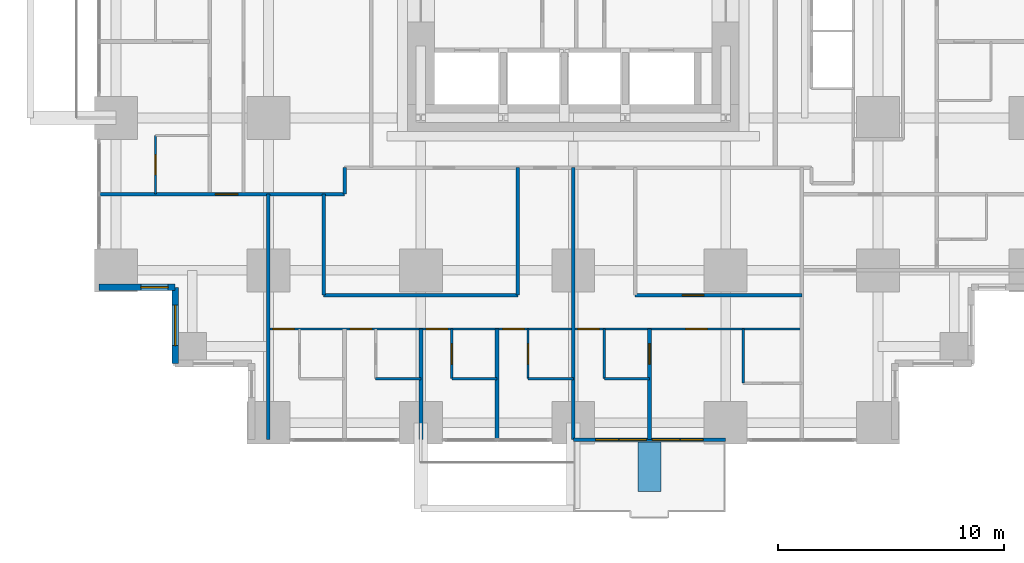
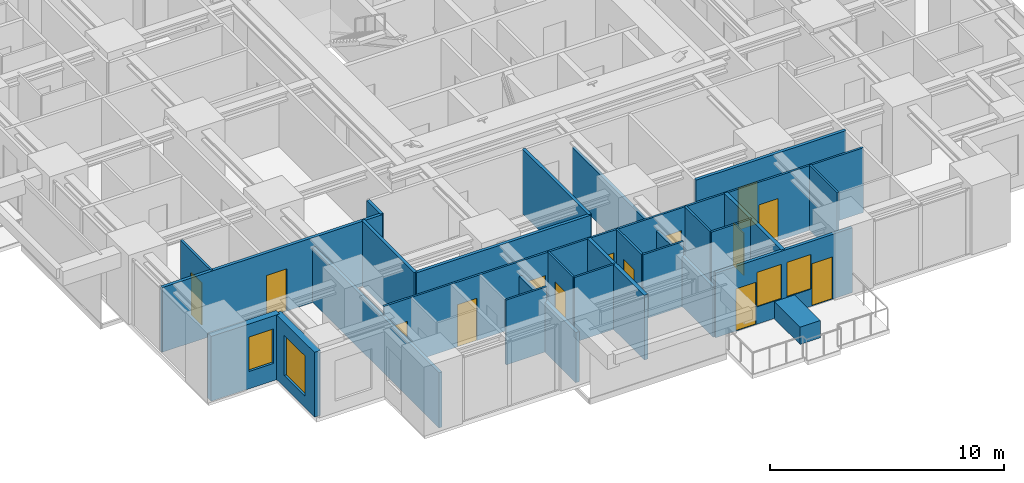
# One storey, part 8 of 14: 25 walls, 14 doors, 4 windows, 18 openings.
"""IFC4 building model written with IfcOpenShell, lengths in metres."""

from ifc_helpers import new_model, si_unit, direction, frame, frame_2d, origin, place, context, subcontext, project, spatial, rectangle, extrude, material, layer, layer_set, type_object, element, fill, save


model = new_model("IFC4")

# Units and contexts
model_context = context("Model", 3, precision=1e-05, world=origin(), true_north=direction((0.0, 1.0)))
body_context = subcontext(model_context, "Body", "Model", "MODEL_VIEW")
ifc_project = project(units=[si_unit("LENGTHUNIT", "METRE"), si_unit("AREAUNIT", "SQUARE_METRE"), si_unit("VOLUMEUNIT", "CUBIC_METRE"), si_unit("PLANEANGLEUNIT", "RADIAN"), si_unit("MASSUNIT", "GRAM", prefix="KILO")], contexts=[model_context])

# Site, building, storey
site_placement = place(None, origin())
site = spatial("IfcSite", under=ifc_project, at=site_placement, CompositionType="ELEMENT")
building_placement = place(site_placement, origin())
building = spatial("IfcBuilding", under=site, at=building_placement, Name="Nyansa Garden Tower", CompositionType="ELEMENT")
storey_placement = place(building_placement, frame((0.0, 0.0, 21.60009765625)))
storey = spatial("IfcBuildingStorey", under=building, at=storey_placement, Name="L05", CompositionType="ELEMENT", Elevation=21.60009765625)

# Walls
ifc_material_1 = material(Name="Dense blockwork, plastered both sides, 55 dB", Category="masonry")
ifc_layer_1 = layer(ifc_material_1, 0.175048828125)
ifc_layer_set_1 = layer_set([ifc_layer_1], Name="Acoustic party wall PW175")
wall_type_1 = type_object("IfcWallType", Name="Acoustic party wall PW175", PredefinedType="PARTITIONING", material=ifc_layer_set_1)
wall_1_placement = place(storey_placement, frame((13.5, -0.73388671875, 0.0), z_axis=(0.0, 0.0, 1.0), x_axis=(0.0, 1.0, 0.0)))
element("IfcWall", 1, at=wall_1_placement, inside=storey, type_object=wall_type_1, Name="Party wall", PredefinedType="PARTITIONING", context=body_context, shape_type="SweptSolid", body=[
    extrude(rectangle(XDim=4.8837890625, YDim=0.175048828125, at=frame_2d((2.44189453125, 0.0))), origin(), (0.0, 0.0, 1.0), 2.60986328125),
])
wall_2_placement = place(storey_placement, frame((16.875, -0.73388671875, 0.0), z_axis=(0.0, 0.0, 1.0), x_axis=(0.0, 1.0, 0.0)))
element("IfcWall", 2, at=wall_2_placement, inside=storey, type_object=wall_type_1, Name="Party wall", PredefinedType="PARTITIONING", context=body_context, shape_type="SweptSolid", body=[
    extrude(rectangle(XDim=4.8837890625, YDim=0.175048828125, at=frame_2d((2.44189453125, 0.0))), origin(), (0.0, 0.0, 1.0), 3.375),
])

# Wall, opening, door
wall_3_placement = place(storey_placement, frame((23.625, -0.73388671875, 0.0), z_axis=(0.0, 0.0, 1.0), x_axis=(0.0, 1.0, 0.0)))
wall_3 = element("IfcWall", 3, at=wall_3_placement, inside=storey, type_object=wall_type_1, Name="Party wall", PredefinedType="PARTITIONING", context=body_context, shape_type="SweptSolid", body=[
    extrude(rectangle(XDim=4.8837890625, YDim=0.175048828125, at=frame_2d((2.44189453125, 0.0))), origin(), (0.0, 0.0, 1.0), 3.375),
])
opening_1_placement = place(wall_3_placement, frame((3.333984375, 0.0, 0.0)))
opening_1 = element("IfcOpeningElement", 4, at=opening_1_placement, cuts=wall_3, Name="Opening D02", PredefinedType="OPENING", context=body_context, shape_type="SweptSolid", body=[
    extrude(rectangle(XDim=0.89990234375, YDim=2.199951171875, at=frame_2d((0.449951171875, 1.10009765625))), frame((0.0, 0.097412109375, 0.0), z_axis=(0.0, -1.0, 0.0), x_axis=(1.0, 0.0, 0.0)), (0.0, 0.0, 1.0), 0.195068359375),
])
ifc_material_2 = material(Name="Timber flush door", Category="wood")
door_type_1 = type_object("IfcDoorType", Name="En-suite door D02 900x2200", OperationType="SINGLE_SWING_RIGHT", PredefinedType="DOOR", material=ifc_material_2)
door_1_placement = place(opening_1_placement, origin())
door_1 = element("IfcDoor", 5, at=door_1_placement, inside=storey, type_object=door_type_1, Name="Door L05-031", OperationType="SINGLE_SWING_RIGHT", OverallHeight=2.199951171875, OverallWidth=0.89990234375, PredefinedType="DOOR", context=body_context, shape_type="SweptSolid", body=[
    extrude(rectangle(XDim=0.89990234375, YDim=2.199951171875, at=frame_2d((0.449951171875, 1.10009765625))), frame((0.0, 0.02490234375, 0.0), z_axis=(0.0, -1.0, 0.0), x_axis=(1.0, 0.0, 0.0)), (0.0, 0.0, 1.0), 0.050048828125),
])
fill(opening_1, door_1)

# Wall, openings, doors, windows
ifc_material_3 = material(Name="Black aluminium framed glazed screen", Category="aluminium")
ifc_layer_2 = layer(ifc_material_3, 0.14990234375)
ifc_layer_set_2 = layer_set([ifc_layer_2], Name="Balcony screen wall BW150")
wall_type_2 = type_object("IfcWallType", Name="Balcony screen wall BW150", PredefinedType="SOLIDWALL", material=ifc_layer_set_2)
wall_4_placement = place(storey_placement, frame((27.0, -0.75, 0.0), z_axis=(0.0, 0.0, 1.0), x_axis=(-1.0, 0.0, 0.0)))
wall_4 = element("IfcWall", 6, at=wall_4_placement, inside=storey, type_object=wall_type_2, Name="Glazed screen wall L05 S", PredefinedType="SOLIDWALL", context=body_context, shape_type="SweptSolid", body=[
    extrude(rectangle(XDim=6.75, YDim=0.14990234375, at=frame_2d((3.375, 0.0))), origin(), (0.0, 0.0, 1.0), 3.375),
])
opening_2_placement = place(wall_4_placement, frame((0.995849609375, 0.0, 0.0)))
opening_2 = element("IfcOpeningElement", 7, at=opening_2_placement, cuts=wall_4, Name="Opening D20", PredefinedType="OPENING", context=body_context, shape_type="SweptSolid", body=[
    extrude(rectangle(XDim=1.0, YDim=2.199951171875, at=frame_2d((0.5, 1.10009765625))), frame((0.0, 0.0849609375, 0.0), z_axis=(0.0, -1.0, 0.0), x_axis=(1.0, 0.0, 0.0)), (0.0, 0.0, 1.0), 0.169921875),
])
opening_3_placement = place(wall_4_placement, frame((2.041748046875, 0.0, 0.89990234375)))
opening_3 = element("IfcOpeningElement", 8, at=opening_3_placement, cuts=wall_4, Name="Opening W6", PredefinedType="OPENING", context=body_context, shape_type="SweptSolid", body=[
    extrude(rectangle(XDim=1.199951171875, YDim=1.800048828125, at=frame_2d((0.60009765625, 0.89990234375))), frame((0.0, 0.0849609375, 0.0), z_axis=(0.0, -1.0, 0.0), x_axis=(1.0, 0.0, 0.0)), (0.0, 0.0, 1.0), 0.169921875),
])
opening_4_placement = place(wall_4_placement, frame((4.754150390625, 0.0, 0.0)))
opening_4 = element("IfcOpeningElement", 9, at=opening_4_placement, cuts=wall_4, Name="Opening D20", PredefinedType="OPENING", context=body_context, shape_type="SweptSolid", body=[
    extrude(rectangle(XDim=1.0, YDim=2.199951171875, at=frame_2d((0.5, 1.10009765625))), frame((0.0, 0.0849609375, 0.0), z_axis=(0.0, -1.0, 0.0), x_axis=(1.0, 0.0, 0.0)), (0.0, 0.0, 1.0), 0.169921875),
])
opening_5_placement = place(wall_4_placement, frame((3.50830078125, 0.0, 0.89990234375)))
opening_5 = element("IfcOpeningElement", 10, at=opening_5_placement, cuts=wall_4, Name="Opening W6", PredefinedType="OPENING", context=body_context, shape_type="SweptSolid", body=[
    extrude(rectangle(XDim=1.199951171875, YDim=1.800048828125, at=frame_2d((0.60009765625, 0.89990234375))), frame((0.0, 0.0849609375, 0.0), z_axis=(0.0, -1.0, 0.0), x_axis=(1.0, 0.0, 0.0)), (0.0, 0.0, 1.0), 0.169921875),
])
ifc_material_4 = material(Name="Black aluminium framed glazed door", Category="aluminium")
door_type_2 = type_object("IfcDoorType", Name="Balcony door D20 1000x2200", OperationType="NOTDEFINED", PredefinedType="DOOR", material=ifc_material_4)
door_2_placement = place(opening_2_placement, origin())
door_2 = element("IfcDoor", 11, at=door_2_placement, inside=storey, type_object=door_type_2, Name="Balcony door L05", OperationType="SINGLE_SWING_LEFT", OverallHeight=2.199951171875, OverallWidth=1.0, PredefinedType="DOOR", context=body_context, shape_type="SweptSolid", body=[
    extrude(rectangle(XDim=1.0, YDim=2.199951171875, at=frame_2d((0.5, 1.10009765625))), frame((0.0, 0.02490234375, 0.0), z_axis=(0.0, -1.0, 0.0), x_axis=(1.0, 0.0, 0.0)), (0.0, 0.0, 1.0), 0.050048828125),
])
fill(opening_2, door_2)
door_3_placement = place(opening_4_placement, origin())
door_3 = element("IfcDoor", 12, at=door_3_placement, inside=storey, type_object=door_type_2, Name="Balcony door L05", OperationType="SINGLE_SWING_RIGHT", OverallHeight=2.199951171875, OverallWidth=1.0, PredefinedType="DOOR", context=body_context, shape_type="SweptSolid", body=[
    extrude(rectangle(XDim=1.0, YDim=2.199951171875, at=frame_2d((0.5, 1.10009765625))), frame((0.0, 0.02490234375, 0.0), z_axis=(0.0, -1.0, 0.0), x_axis=(1.0, 0.0, 0.0)), (0.0, 0.0, 1.0), 0.050048828125),
])
fill(opening_4, door_3)
ifc_material_5 = material(Name="Black aluminium frame, dark tinted double glazing", Category="aluminium")
window_type_1 = type_object("IfcWindowType", Name="Balcony window W6 1200x1800", PartitioningType="SINGLE_PANEL", PredefinedType="WINDOW", material=ifc_material_5)
window_1_placement = place(opening_3_placement, origin())
window_1 = element("IfcWindow", 13, at=window_1_placement, inside=storey, type_object=window_type_1, Name="Window L05", OverallHeight=1.800048828125, OverallWidth=1.199951171875, PartitioningType="SINGLE_PANEL", PredefinedType="WINDOW", context=body_context, shape_type="SweptSolid", body=[
    extrude(rectangle(XDim=1.199951171875, YDim=1.800048828125, at=frame_2d((0.60009765625, 0.89990234375))), frame((0.0, 0.030029296875, 0.0), z_axis=(0.0, -1.0, 0.0), x_axis=(1.0, 0.0, 0.0)), (0.0, 0.0, 1.0), 0.06005859375),
])
fill(opening_3, window_1)
window_2_placement = place(opening_5_placement, origin())
window_2 = element("IfcWindow", 14, at=window_2_placement, inside=storey, type_object=window_type_1, Name="Window L05", OverallHeight=1.800048828125, OverallWidth=1.199951171875, PartitioningType="SINGLE_PANEL", PredefinedType="WINDOW", context=body_context, shape_type="SweptSolid", body=[
    extrude(rectangle(XDim=1.199951171875, YDim=1.800048828125, at=frame_2d((0.60009765625, 0.89990234375))), frame((0.0, 0.030029296875, 0.0), z_axis=(0.0, -1.0, 0.0), x_axis=(1.0, 0.0, 0.0)), (0.0, 0.0, 1.0), 0.06005859375),
])
fill(opening_5, window_2)

# Wall, opening, door
ifc_material_6 = material(Name="Blockwork, plastered both sides", Category="masonry")
ifc_layer_3 = layer(ifc_material_6, 0.14990234375)
ifc_layer_set_3 = layer_set([ifc_layer_3], Name="Partition PW150")
wall_type_3 = type_object("IfcWallType", Name="Partition PW150", PredefinedType="PARTITIONING", material=ifc_layer_set_3)
wall_5_placement = place(storey_placement, frame((-0.73388671875, 10.125, 0.0), z_axis=(0.0, 0.0, 1.0), x_axis=(1.0, 0.0, 0.0)))
wall_5 = element("IfcWall", 15, at=wall_5_placement, inside=storey, type_object=wall_type_3, Name="Partition", PredefinedType="PARTITIONING", context=body_context, shape_type="SweptSolid", body=[
    extrude(rectangle(XDim=10.85888671875, YDim=0.14990234375, at=frame_2d((5.429443359375, 0.0))), origin(), (0.0, 0.0, 1.0), 3.375),
])
opening_6_placement = place(wall_5_placement, frame((5.134033203125, 0.0, 0.0)))
opening_6 = element("IfcOpeningElement", 16, at=opening_6_placement, cuts=wall_5, Name="Opening D03", PredefinedType="OPENING", context=body_context, shape_type="SweptSolid", body=[
    extrude(rectangle(XDim=1.0, YDim=2.199951171875, at=frame_2d((0.5, 1.10009765625))), frame((0.0, 0.0849609375, 0.0), z_axis=(0.0, -1.0, 0.0), x_axis=(1.0, 0.0, 0.0)), (0.0, 0.0, 1.0), 0.169921875),
])
ifc_material_7 = material(Name="Timber flush door, 60 minute fire resisting", Category="wood")
door_type_3 = type_object("IfcDoorType", Name="Cluster entrance door D03 1000x2200", OperationType="SINGLE_SWING_LEFT", PredefinedType="DOOR", material=ifc_material_7)
door_4_placement = place(opening_6_placement, origin())
door_4 = element("IfcDoor", 17, at=door_4_placement, inside=storey, type_object=door_type_3, Name="Door L05-018", OperationType="SINGLE_SWING_LEFT", OverallHeight=2.199951171875, OverallWidth=1.0, PredefinedType="DOOR", context=body_context, shape_type="SweptSolid", body=[
    extrude(rectangle(XDim=1.0, YDim=2.199951171875, at=frame_2d((0.5, 1.10009765625))), frame((0.0, 0.02490234375, 0.0), z_axis=(0.0, -1.0, 0.0), x_axis=(1.0, 0.0, 0.0)), (0.0, 0.0, 1.0), 0.050048828125),
])
fill(opening_6, door_4)

# Walls
wall_6_placement = place(storey_placement, frame((6.75, -0.73388671875, 0.0), z_axis=(0.0, 0.0, 1.0), x_axis=(0.0, 1.0, 0.0)))
element("IfcWall", 18, at=wall_6_placement, inside=storey, type_object=wall_type_3, Name="Partition", PredefinedType="PARTITIONING", context=body_context, shape_type="SweptSolid", body=[
    extrude(rectangle(XDim=10.85888671875, YDim=0.14990234375, at=frame_2d((5.429443359375, 0.0))), origin(), (0.0, 0.0, 1.0), 2.876953125),
])
wall_7_placement = place(storey_placement, frame((9.199951171875, 5.64990234375, 0.0), z_axis=(0.0, 0.0, 1.0), x_axis=(0.0, 1.0, 0.0)))
element("IfcWall", 19, at=wall_7_placement, inside=storey, type_object=wall_type_3, Name="Partition", PredefinedType="PARTITIONING", context=body_context, shape_type="SweptSolid", body=[
    extrude(rectangle(XDim=4.47509765625, YDim=0.14990234375, at=frame_2d((2.237548828125, 0.0))), origin(), (0.0, 0.0, 1.0), 3.375),
])
wall_8_placement = place(storey_placement, frame((9.199951171875, 5.64990234375, 0.0), z_axis=(0.0, 0.0, 1.0), x_axis=(1.0, 0.0, 0.0)))
element("IfcWall", 20, at=wall_8_placement, inside=storey, type_object=wall_type_3, Name="Partition", PredefinedType="PARTITIONING", context=body_context, shape_type="SweptSolid", body=[
    extrude(rectangle(XDim=8.60009765625, YDim=0.14990234375, at=frame_2d((4.300048828125, 0.0))), origin(), (0.0, 0.0, 1.0), 3.375),
])
wall_9_placement = place(storey_placement, frame((10.125, 10.125, 0.0), z_axis=(0.0, 0.0, 1.0), x_axis=(0.0, 1.0, 0.0)))
element("IfcWall", 21, at=wall_9_placement, inside=storey, type_object=wall_type_3, Name="Partition", PredefinedType="PARTITIONING", context=body_context, shape_type="SweptSolid", body=[
    extrude(rectangle(XDim=1.175048828125, YDim=0.14990234375, at=frame_2d((0.58740234375, 0.0))), origin(), (0.0, 0.0, 1.0), 3.375),
])
wall_10_placement = place(storey_placement, frame((17.800048828125, 5.64990234375, 0.0), z_axis=(0.0, 0.0, 1.0), x_axis=(0.0, 1.0, 0.0)))
element("IfcWall", 22, at=wall_10_placement, inside=storey, type_object=wall_type_3, Name="Partition", PredefinedType="PARTITIONING", context=body_context, shape_type="SweptSolid", body=[
    extrude(rectangle(XDim=5.650146484375, YDim=0.14990234375, at=frame_2d((2.8251953125, 0.0))), origin(), (0.0, 0.0, 1.0), 3.375),
])
wall_11_placement = place(storey_placement, frame((20.25, -0.73388671875, 0.0), z_axis=(0.0, 0.0, 1.0), x_axis=(0.0, 1.0, 0.0)))
element("IfcWall", 23, at=wall_11_placement, inside=storey, type_object=wall_type_3, Name="Partition", PredefinedType="PARTITIONING", context=body_context, shape_type="SweptSolid", body=[
    extrude(rectangle(XDim=12.033935546875, YDim=0.14990234375, at=frame_2d((6.01708984375, 0.0))), origin(), (0.0, 0.0, 1.0), 2.60986328125),
])

# Wall, opening, door
wall_12_placement = place(storey_placement, frame((22.987548828125, 5.64990234375, 0.0), z_axis=(0.0, 0.0, 1.0), x_axis=(1.0, 0.0, 0.0)))
wall_12 = element("IfcWall", 24, at=wall_12_placement, inside=storey, type_object=wall_type_3, Name="Partition", PredefinedType="PARTITIONING", context=body_context, shape_type="SweptSolid", body=[
    extrude(rectangle(XDim=7.387451171875, YDim=0.14990234375, at=frame_2d((3.69384765625, 0.0))), origin(), (0.0, 0.0, 1.0), 3.375),
])
opening_7_placement = place(wall_12_placement, frame((2.10009765625, 0.0, 0.0)))
opening_7 = element("IfcOpeningElement", 25, at=opening_7_placement, cuts=wall_12, Name="Opening D01", PredefinedType="OPENING", context=body_context, shape_type="SweptSolid", body=[
    extrude(rectangle(XDim=0.949951171875, YDim=2.199951171875, at=frame_2d((0.47509765625, 1.10009765625))), frame((0.0, 0.0849609375, 0.0), z_axis=(0.0, -1.0, 0.0), x_axis=(1.0, 0.0, 0.0)), (0.0, 0.0, 1.0), 0.169921875),
])
ifc_material_8 = material(Name="Timber flush door, 30 minute fire resisting", Category="wood")
door_type_4 = type_object("IfcDoorType", Name="Bedroom door D01 950x2200", OperationType="SINGLE_SWING_LEFT", PredefinedType="DOOR", material=ifc_material_8)
door_5_placement = place(opening_7_placement, origin())
door_5 = element("IfcDoor", 26, at=door_5_placement, inside=storey, type_object=door_type_4, Name="Door L05-034", OperationType="SINGLE_SWING_LEFT", OverallHeight=2.199951171875, OverallWidth=0.949951171875, PredefinedType="DOOR", context=body_context, shape_type="SweptSolid", body=[
    extrude(rectangle(XDim=0.949951171875, YDim=2.199951171875, at=frame_2d((0.47509765625, 1.10009765625))), frame((0.0, 0.02490234375, 0.0), z_axis=(0.0, -1.0, 0.0), x_axis=(1.0, 0.0, 0.0)), (0.0, 0.0, 1.0), 0.050048828125),
])
fill(opening_7, door_5)

# Wall, opening, window
ifc_material_9 = material(Name="Turquoise glazed tile on concrete blockwork", Category="masonry")
ifc_layer_4 = layer(ifc_material_9, 0.300048828125)
ifc_layer_set_4 = layer_set([ifc_layer_4], Name="Tiled corner wall TW300")
wall_type_4 = type_object("IfcWallType", Name="Tiled corner wall TW300", PredefinedType="SOLIDWALL", material=ifc_layer_set_4)
wall_13_placement = place(storey_placement, frame((-0.75, 6.0, 0.0), z_axis=(0.0, 0.0, 1.0), x_axis=(1.0, 0.0, 0.0)))
wall_13 = element("IfcWall", 27, at=wall_13_placement, inside=storey, type_object=wall_type_4, Name="Tiled corner wall L05", PredefinedType="SOLIDWALL", context=body_context, shape_type="SweptSolid", body=[
    extrude(rectangle(XDim=3.375, YDim=0.300048828125, at=frame_2d((1.6875, 0.0))), origin(), (0.0, 0.0, 1.0), 3.375),
])
opening_8_placement = place(wall_13_placement, frame((1.857421875, 0.0, 0.89990234375)))
opening_8 = element("IfcOpeningElement", 28, at=opening_8_placement, cuts=wall_13, Name="Opening W4", PredefinedType="OPENING", context=body_context, shape_type="SweptSolid", body=[
    extrude(rectangle(XDim=1.199951171875, YDim=1.800048828125, at=frame_2d((0.60009765625, 0.89990234375))), frame((0.0, 0.159912109375, 0.0), z_axis=(0.0, -1.0, 0.0), x_axis=(1.0, 0.0, 0.0)), (0.0, 0.0, 1.0), 0.320068359375),
])
ifc_material_10 = material(Name="Black aluminium frame, dark tinted double glazing", Category="aluminium")
window_type_2 = type_object("IfcWindowType", Name="Window W4 1200x1800", PartitioningType="SINGLE_PANEL", PredefinedType="WINDOW", material=ifc_material_10)
window_3_placement = place(opening_8_placement, origin())
window_3 = element("IfcWindow", 29, at=window_3_placement, inside=storey, type_object=window_type_2, Name="Corner window L05", OverallHeight=1.800048828125, OverallWidth=1.199951171875, PartitioningType="SINGLE_PANEL", PredefinedType="WINDOW", context=body_context, shape_type="SweptSolid", body=[
    extrude(rectangle(XDim=1.199951171875, YDim=1.800048828125, at=frame_2d((0.60009765625, 0.89990234375))), frame((0.0, 0.030029296875, 0.0), z_axis=(0.0, -1.0, 0.0), x_axis=(1.0, 0.0, 0.0)), (0.0, 0.0, 1.0), 0.06005859375),
])
fill(opening_8, window_3)

wall_14_placement = place(storey_placement, frame((2.625, 6.0, 0.0), z_axis=(0.0, 0.0, 1.0), x_axis=(0.0, -1.0, 0.0)))
wall_14 = element("IfcWall", 30, at=wall_14_placement, inside=storey, type_object=wall_type_4, Name="Tiled corner wall L05", PredefinedType="SOLIDWALL", context=body_context, shape_type="SweptSolid", body=[
    extrude(rectangle(XDim=3.375, YDim=0.300048828125, at=frame_2d((1.6875, 0.0))), origin(), (0.0, 0.0, 1.0), 3.375),
])
opening_9_placement = place(wall_14_placement, frame((0.78759765625, 0.0, 0.60009765625)))
opening_9 = element("IfcOpeningElement", 31, at=opening_9_placement, cuts=wall_14, Name="Opening W2", PredefinedType="OPENING", context=body_context, shape_type="SweptSolid", body=[
    extrude(rectangle(XDim=1.800048828125, YDim=2.10009765625, at=frame_2d((0.89990234375, 1.050048828125))), frame((0.0, 0.159912109375, 0.0), z_axis=(0.0, -1.0, 0.0), x_axis=(1.0, 0.0, 0.0)), (0.0, 0.0, 1.0), 0.320068359375),
])
ifc_material_11 = material(Name="Black aluminium frame, dark tinted double glazing", Category="aluminium")
window_type_3 = type_object("IfcWindowType", Name="Window W2 1800x2100", PartitioningType="SINGLE_PANEL", PredefinedType="WINDOW", material=ifc_material_11)
window_4_placement = place(opening_9_placement, origin())
window_4 = element("IfcWindow", 32, at=window_4_placement, inside=storey, type_object=window_type_3, Name="Corner window L05", OverallHeight=2.10009765625, OverallWidth=1.800048828125, PartitioningType="SINGLE_PANEL", PredefinedType="WINDOW", context=body_context, shape_type="SweptSolid", body=[
    extrude(rectangle(XDim=1.800048828125, YDim=2.10009765625, at=frame_2d((0.89990234375, 1.050048828125))), frame((0.0, 0.030029296875, 0.0), z_axis=(0.0, -1.0, 0.0), x_axis=(1.0, 0.0, 0.0)), (0.0, 0.0, 1.0), 0.06005859375),
])
fill(opening_9, window_4)

# Wall
ifc_material_12 = material(Name="Concrete C40/50 planter, waterproofed", Category="concrete")
ifc_layer_5 = layer(ifc_material_12, 1.0)
ifc_layer_set_5 = layer_set([ifc_layer_5], Name="Tree planter TP1")
wall_type_5 = type_object("IfcWallType", Name="Tree planter TP1", PredefinedType="USERDEFINED", material=ifc_layer_set_5)
wall_15_placement = place(storey_placement, frame((23.625, -0.85009765625, 0.0), z_axis=(0.0, 0.0, 1.0), x_axis=(0.0, -1.0, 0.0)))
element("IfcWall", 33, at=wall_15_placement, inside=storey, type_object=wall_type_5, Name="Tree planter L05", ObjectType="TREE PLANTER", PredefinedType="USERDEFINED", context=body_context, shape_type="SweptSolid", body=[
    extrude(rectangle(XDim=2.199951171875, YDim=1.0, at=frame_2d((1.10009765625, 0.0))), origin(), (0.0, 0.0, 1.0), 0.89990234375),
])

# Wall, opening, door
ifc_material_13 = material(Name="Moisture resistant board on steel studs, tiled", Category="steel")
ifc_layer_6 = layer(ifc_material_13, 0.10009765625)
ifc_layer_set_6 = layer_set([ifc_layer_6], Name="Wet wall PW100")
wall_type_6 = type_object("IfcWallType", Name="Wet wall PW100", PredefinedType="PARTITIONING", material=ifc_layer_set_6)
wall_16_placement = place(storey_placement, frame((1.75, 10.125, 0.0), z_axis=(0.0, 0.0, 1.0), x_axis=(0.0, 1.0, 0.0)))
wall_16 = element("IfcWall", 34, at=wall_16_placement, inside=storey, type_object=wall_type_6, Name="Wet wall", PredefinedType="PARTITIONING", context=body_context, shape_type="SweptSolid", body=[
    extrude(rectangle(XDim=2.60009765625, YDim=0.10009765625, at=frame_2d((1.300048828125, 0.0))), origin(), (0.0, 0.0, 1.0), 3.375),
])
opening_10_placement = place(wall_16_placement, frame((0.85009765625, 0.0, 0.0)))
opening_10 = element("IfcOpeningElement", 35, at=opening_10_placement, cuts=wall_16, Name="Opening D02", PredefinedType="OPENING", context=body_context, shape_type="SweptSolid", body=[
    extrude(rectangle(XDim=0.89990234375, YDim=2.199951171875, at=frame_2d((0.449951171875, 1.10009765625))), frame((0.0, 0.06005859375, 0.0), z_axis=(0.0, -1.0, 0.0), x_axis=(1.0, 0.0, 0.0)), (0.0, 0.0, 1.0), 0.1201171875),
])
door_6_placement = place(opening_10_placement, origin())
door_6 = element("IfcDoor", 36, at=door_6_placement, inside=storey, type_object=door_type_1, Name="Door L05-069", OperationType="SINGLE_SWING_RIGHT", OverallHeight=2.199951171875, OverallWidth=0.89990234375, PredefinedType="DOOR", context=body_context, shape_type="SweptSolid", body=[
    extrude(rectangle(XDim=0.89990234375, YDim=2.199951171875, at=frame_2d((0.449951171875, 1.10009765625))), frame((0.0, 0.02490234375, 0.0), z_axis=(0.0, -1.0, 0.0), x_axis=(1.0, 0.0, 0.0)), (0.0, 0.0, 1.0), 0.050048828125),
])
fill(opening_10, door_6)

# Wall, openings, doors
wall_17_placement = place(storey_placement, frame((6.75, 4.14990234375, 0.0), z_axis=(0.0, 0.0, 1.0), x_axis=(1.0, 0.0, 0.0)))
wall_17 = element("IfcWall", 37, at=wall_17_placement, inside=storey, type_object=wall_type_6, Name="Wet wall", PredefinedType="PARTITIONING", context=body_context, shape_type="SweptSolid", body=[
    extrude(rectangle(XDim=23.625, YDim=0.10009765625, at=frame_2d((11.8125, 0.0))), origin(), (0.0, 0.0, 1.0), 3.375),
])
opening_11_placement = place(wall_17_placement, frame((0.199951171875, 0.0, 0.0)))
opening_11 = element("IfcOpeningElement", 38, at=opening_11_placement, cuts=wall_17, Name="Opening D01", PredefinedType="OPENING", context=body_context, shape_type="SweptSolid", body=[
    extrude(rectangle(XDim=0.949951171875, YDim=2.199951171875, at=frame_2d((0.47509765625, 1.10009765625))), frame((0.0, 0.06005859375, 0.0), z_axis=(0.0, -1.0, 0.0), x_axis=(1.0, 0.0, 0.0)), (0.0, 0.0, 1.0), 0.1201171875),
])
opening_12_placement = place(wall_17_placement, frame((3.625, 0.0, 0.0)))
opening_12 = element("IfcOpeningElement", 39, at=opening_12_placement, cuts=wall_17, Name="Opening D01", PredefinedType="OPENING", context=body_context, shape_type="SweptSolid", body=[
    extrude(rectangle(XDim=0.949951171875, YDim=2.199951171875, at=frame_2d((0.47509765625, 1.10009765625))), frame((0.0, 0.06005859375, 0.0), z_axis=(0.0, -1.0, 0.0), x_axis=(1.0, 0.0, 0.0)), (0.0, 0.0, 1.0), 0.1201171875),
])
opening_13_placement = place(wall_17_placement, frame((7.0, 0.0, 0.0)))
opening_13 = element("IfcOpeningElement", 40, at=opening_13_placement, cuts=wall_17, Name="Opening D01", PredefinedType="OPENING", context=body_context, shape_type="SweptSolid", body=[
    extrude(rectangle(XDim=0.949951171875, YDim=2.199951171875, at=frame_2d((0.47509765625, 1.10009765625))), frame((0.0, 0.06005859375, 0.0), z_axis=(0.0, -1.0, 0.0), x_axis=(1.0, 0.0, 0.0)), (0.0, 0.0, 1.0), 0.1201171875),
])
opening_14_placement = place(wall_17_placement, frame((10.375, 0.0, 0.0)))
opening_14 = element("IfcOpeningElement", 41, at=opening_14_placement, cuts=wall_17, Name="Opening D01", PredefinedType="OPENING", context=body_context, shape_type="SweptSolid", body=[
    extrude(rectangle(XDim=0.949951171875, YDim=2.199951171875, at=frame_2d((0.47509765625, 1.10009765625))), frame((0.0, 0.06005859375, 0.0), z_axis=(0.0, -1.0, 0.0), x_axis=(1.0, 0.0, 0.0)), (0.0, 0.0, 1.0), 0.1201171875),
])
opening_15_placement = place(wall_17_placement, frame((18.47509765625, 0.0, 0.0)))
opening_15 = element("IfcOpeningElement", 42, at=opening_15_placement, cuts=wall_17, Name="Opening D14", PredefinedType="OPENING", context=body_context, shape_type="SweptSolid", body=[
    extrude(rectangle(XDim=0.949951171875, YDim=2.199951171875, at=frame_2d((0.47509765625, 1.10009765625))), frame((0.0, 0.06005859375, 0.0), z_axis=(0.0, -1.0, 0.0), x_axis=(1.0, 0.0, 0.0)), (0.0, 0.0, 1.0), 0.1201171875),
])
opening_16_placement = place(wall_17_placement, frame((13.699951171875, 0.0, 0.0)))
opening_16 = element("IfcOpeningElement", 43, at=opening_16_placement, cuts=wall_17, Name="Opening D14", PredefinedType="OPENING", context=body_context, shape_type="SweptSolid", body=[
    extrude(rectangle(XDim=0.949951171875, YDim=2.199951171875, at=frame_2d((0.47509765625, 1.10009765625))), frame((0.0, 0.06005859375, 0.0), z_axis=(0.0, -1.0, 0.0), x_axis=(1.0, 0.0, 0.0)), (0.0, 0.0, 1.0), 0.1201171875),
])
door_7_placement = place(opening_11_placement, origin())
door_7 = element("IfcDoor", 44, at=door_7_placement, inside=storey, type_object=door_type_4, Name="Door L05-019", OperationType="SINGLE_SWING_LEFT", OverallHeight=2.199951171875, OverallWidth=0.949951171875, PredefinedType="DOOR", context=body_context, shape_type="SweptSolid", body=[
    extrude(rectangle(XDim=0.949951171875, YDim=2.199951171875, at=frame_2d((0.47509765625, 1.10009765625))), frame((0.0, 0.02490234375, 0.0), z_axis=(0.0, -1.0, 0.0), x_axis=(1.0, 0.0, 0.0)), (0.0, 0.0, 1.0), 0.050048828125),
])
fill(opening_11, door_7)
door_8_placement = place(opening_12_placement, origin())
door_8 = element("IfcDoor", 45, at=door_8_placement, inside=storey, type_object=door_type_4, Name="Door L05-021", OperationType="SINGLE_SWING_LEFT", OverallHeight=2.199951171875, OverallWidth=0.949951171875, PredefinedType="DOOR", context=body_context, shape_type="SweptSolid", body=[
    extrude(rectangle(XDim=0.949951171875, YDim=2.199951171875, at=frame_2d((0.47509765625, 1.10009765625))), frame((0.0, 0.02490234375, 0.0), z_axis=(0.0, -1.0, 0.0), x_axis=(1.0, 0.0, 0.0)), (0.0, 0.0, 1.0), 0.050048828125),
])
fill(opening_12, door_8)
door_9_placement = place(opening_13_placement, origin())
door_9 = element("IfcDoor", 46, at=door_9_placement, inside=storey, type_object=door_type_4, Name="Door L05-023", OperationType="SINGLE_SWING_LEFT", OverallHeight=2.199951171875, OverallWidth=0.949951171875, PredefinedType="DOOR", context=body_context, shape_type="SweptSolid", body=[
    extrude(rectangle(XDim=0.949951171875, YDim=2.199951171875, at=frame_2d((0.47509765625, 1.10009765625))), frame((0.0, 0.02490234375, 0.0), z_axis=(0.0, -1.0, 0.0), x_axis=(1.0, 0.0, 0.0)), (0.0, 0.0, 1.0), 0.050048828125),
])
fill(opening_13, door_9)
door_10_placement = place(opening_14_placement, origin())
door_10 = element("IfcDoor", 47, at=door_10_placement, inside=storey, type_object=door_type_4, Name="Door L05-025", OperationType="SINGLE_SWING_LEFT", OverallHeight=2.199951171875, OverallWidth=0.949951171875, PredefinedType="DOOR", context=body_context, shape_type="SweptSolid", body=[
    extrude(rectangle(XDim=0.949951171875, YDim=2.199951171875, at=frame_2d((0.47509765625, 1.10009765625))), frame((0.0, 0.02490234375, 0.0), z_axis=(0.0, -1.0, 0.0), x_axis=(1.0, 0.0, 0.0)), (0.0, 0.0, 1.0), 0.050048828125),
])
fill(opening_14, door_10)
ifc_material_14 = material(Name="Timber flush door, 60 minute fire resisting, self-closing", Category="wood")
door_type_5 = type_object("IfcDoorType", Name="Studio entrance door D14 950x2200", OperationType="SINGLE_SWING_LEFT", PredefinedType="DOOR", material=ifc_material_14)
door_11_placement = place(opening_15_placement, origin())
door_11 = element("IfcDoor", 48, at=door_11_placement, inside=storey, type_object=door_type_5, Name="Door L05-028", OperationType="SINGLE_SWING_LEFT", OverallHeight=2.199951171875, OverallWidth=0.949951171875, PredefinedType="DOOR", context=body_context, shape_type="SweptSolid", body=[
    extrude(rectangle(XDim=0.949951171875, YDim=2.199951171875, at=frame_2d((0.47509765625, 1.10009765625))), frame((0.0, 0.02490234375, 0.0), z_axis=(0.0, -1.0, 0.0), x_axis=(1.0, 0.0, 0.0)), (0.0, 0.0, 1.0), 0.050048828125),
])
fill(opening_15, door_11)
door_12_placement = place(opening_16_placement, origin())
door_12 = element("IfcDoor", 49, at=door_12_placement, inside=storey, type_object=door_type_5, Name="Door L05-030", OperationType="SINGLE_SWING_LEFT", OverallHeight=2.199951171875, OverallWidth=0.949951171875, PredefinedType="DOOR", context=body_context, shape_type="SweptSolid", body=[
    extrude(rectangle(XDim=0.949951171875, YDim=2.199951171875, at=frame_2d((0.47509765625, 1.10009765625))), frame((0.0, 0.02490234375, 0.0), z_axis=(0.0, -1.0, 0.0), x_axis=(1.0, 0.0, 0.0)), (0.0, 0.0, 1.0), 0.050048828125),
])
fill(opening_16, door_12)

# Wall
wall_18_placement = place(storey_placement, frame((11.5, 1.949951171875, 0.0), z_axis=(0.0, 0.0, 1.0), x_axis=(1.0, 0.0, 0.0)))
element("IfcWall", 50, at=wall_18_placement, inside=storey, type_object=wall_type_6, Name="Wet wall", PredefinedType="PARTITIONING", context=body_context, shape_type="SweptSolid", body=[
    extrude(rectangle(XDim=2.0, YDim=0.10009765625, at=frame_2d((1.0, 0.0))), origin(), (0.0, 0.0, 1.0), 3.375),
])

# Wall, opening, door
wall_19_placement = place(storey_placement, frame((14.875, 1.949951171875, 0.0), z_axis=(0.0, 0.0, 1.0), x_axis=(0.0, 1.0, 0.0)))
wall_19 = element("IfcWall", 51, at=wall_19_placement, inside=storey, type_object=wall_type_6, Name="Wet wall", PredefinedType="PARTITIONING", context=body_context, shape_type="SweptSolid", body=[
    extrude(rectangle(XDim=2.199951171875, YDim=0.10009765625, at=frame_2d((1.10009765625, 0.0))), origin(), (0.0, 0.0, 1.0), 3.375),
])
opening_17_placement = place(wall_19_placement, frame((0.64990234375, 0.0, 0.0)))
opening_17 = element("IfcOpeningElement", 52, at=opening_17_placement, cuts=wall_19, Name="Opening D02", PredefinedType="OPENING", context=body_context, shape_type="SweptSolid", body=[
    extrude(rectangle(XDim=0.89990234375, YDim=2.199951171875, at=frame_2d((0.449951171875, 1.10009765625))), frame((0.0, 0.06005859375, 0.0), z_axis=(0.0, -1.0, 0.0), x_axis=(1.0, 0.0, 0.0)), (0.0, 0.0, 1.0), 0.1201171875),
])
door_13_placement = place(opening_17_placement, origin())
door_13 = element("IfcDoor", 53, at=door_13_placement, inside=storey, type_object=door_type_1, Name="Door L05-024", OperationType="SINGLE_SWING_RIGHT", OverallHeight=2.199951171875, OverallWidth=0.89990234375, PredefinedType="DOOR", context=body_context, shape_type="SweptSolid", body=[
    extrude(rectangle(XDim=0.89990234375, YDim=2.199951171875, at=frame_2d((0.449951171875, 1.10009765625))), frame((0.0, 0.02490234375, 0.0), z_axis=(0.0, -1.0, 0.0), x_axis=(1.0, 0.0, 0.0)), (0.0, 0.0, 1.0), 0.050048828125),
])
fill(opening_17, door_13)

# Wall
wall_20_placement = place(storey_placement, frame((14.875, 1.949951171875, 0.0), z_axis=(0.0, 0.0, 1.0), x_axis=(1.0, 0.0, 0.0)))
element("IfcWall", 54, at=wall_20_placement, inside=storey, type_object=wall_type_6, Name="Wet wall", PredefinedType="PARTITIONING", context=body_context, shape_type="SweptSolid", body=[
    extrude(rectangle(XDim=2.0, YDim=0.10009765625, at=frame_2d((1.0, 0.0))), origin(), (0.0, 0.0, 1.0), 3.375),
])

# Wall, opening, door
wall_21_placement = place(storey_placement, frame((18.25, 1.949951171875, 0.0), z_axis=(0.0, 0.0, 1.0), x_axis=(0.0, 1.0, 0.0)))
wall_21 = element("IfcWall", 55, at=wall_21_placement, inside=storey, type_object=wall_type_6, Name="Wet wall", PredefinedType="PARTITIONING", context=body_context, shape_type="SweptSolid", body=[
    extrude(rectangle(XDim=2.199951171875, YDim=0.10009765625, at=frame_2d((1.10009765625, 0.0))), origin(), (0.0, 0.0, 1.0), 3.375),
])
opening_18_placement = place(wall_21_placement, frame((0.64990234375, 0.0, 0.0)))
opening_18 = element("IfcOpeningElement", 56, at=opening_18_placement, cuts=wall_21, Name="Opening D02", PredefinedType="OPENING", context=body_context, shape_type="SweptSolid", body=[
    extrude(rectangle(XDim=0.89990234375, YDim=2.199951171875, at=frame_2d((0.449951171875, 1.10009765625))), frame((0.0, 0.06005859375, 0.0), z_axis=(0.0, -1.0, 0.0), x_axis=(1.0, 0.0, 0.0)), (0.0, 0.0, 1.0), 0.1201171875),
])
door_14_placement = place(opening_18_placement, origin())
door_14 = element("IfcDoor", 57, at=door_14_placement, inside=storey, type_object=door_type_1, Name="Door L05-026", OperationType="SINGLE_SWING_RIGHT", OverallHeight=2.199951171875, OverallWidth=0.89990234375, PredefinedType="DOOR", context=body_context, shape_type="SweptSolid", body=[
    extrude(rectangle(XDim=0.89990234375, YDim=2.199951171875, at=frame_2d((0.449951171875, 1.10009765625))), frame((0.0, 0.02490234375, 0.0), z_axis=(0.0, -1.0, 0.0), x_axis=(1.0, 0.0, 0.0)), (0.0, 0.0, 1.0), 0.050048828125),
])
fill(opening_18, door_14)

# Walls
wall_22_placement = place(storey_placement, frame((18.25, 1.949951171875, 0.0), z_axis=(0.0, 0.0, 1.0), x_axis=(1.0, 0.0, 0.0)))
element("IfcWall", 58, at=wall_22_placement, inside=storey, type_object=wall_type_6, Name="Wet wall", PredefinedType="PARTITIONING", context=body_context, shape_type="SweptSolid", body=[
    extrude(rectangle(XDim=2.0, YDim=0.10009765625, at=frame_2d((1.0, 0.0))), origin(), (0.0, 0.0, 1.0), 3.375),
])
wall_23_placement = place(storey_placement, frame((21.625, 1.949951171875, 0.0), z_axis=(0.0, 0.0, 1.0), x_axis=(0.0, 1.0, 0.0)))
element("IfcWall", 59, at=wall_23_placement, inside=storey, type_object=wall_type_6, Name="Wet wall", PredefinedType="PARTITIONING", context=body_context, shape_type="SweptSolid", body=[
    extrude(rectangle(XDim=2.199951171875, YDim=0.10009765625, at=frame_2d((1.10009765625, 0.0))), origin(), (0.0, 0.0, 1.0), 3.375),
])
wall_24_placement = place(storey_placement, frame((21.625, 1.949951171875, 0.0), z_axis=(0.0, 0.0, 1.0), x_axis=(1.0, 0.0, 0.0)))
element("IfcWall", 60, at=wall_24_placement, inside=storey, type_object=wall_type_6, Name="Wet wall", PredefinedType="PARTITIONING", context=body_context, shape_type="SweptSolid", body=[
    extrude(rectangle(XDim=2.0, YDim=0.10009765625, at=frame_2d((1.0, 0.0))), origin(), (0.0, 0.0, 1.0), 3.375),
])
wall_25_placement = place(storey_placement, frame((27.77490234375, 1.75, 0.0), z_axis=(0.0, 0.0, 1.0), x_axis=(0.0, 1.0, 0.0)))
element("IfcWall", 61, at=wall_25_placement, inside=storey, type_object=wall_type_6, Name="Wet wall", PredefinedType="PARTITIONING", context=body_context, shape_type="SweptSolid", body=[
    extrude(rectangle(XDim=2.39990234375, YDim=0.10009765625, at=frame_2d((1.199951171875, 0.0))), origin(), (0.0, 0.0, 1.0), 3.375),
])

save(model, "model.ifc")
